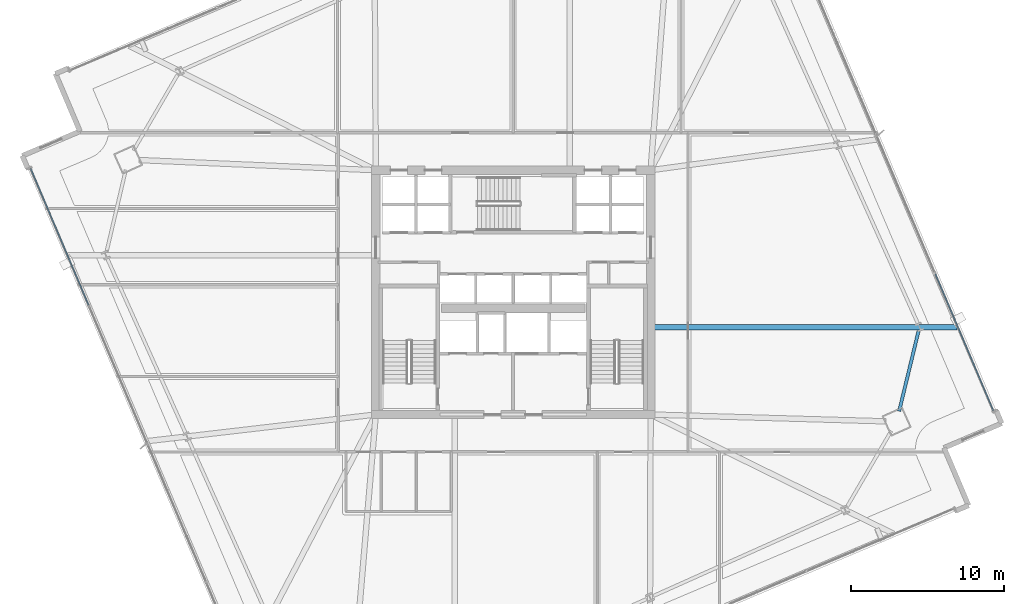
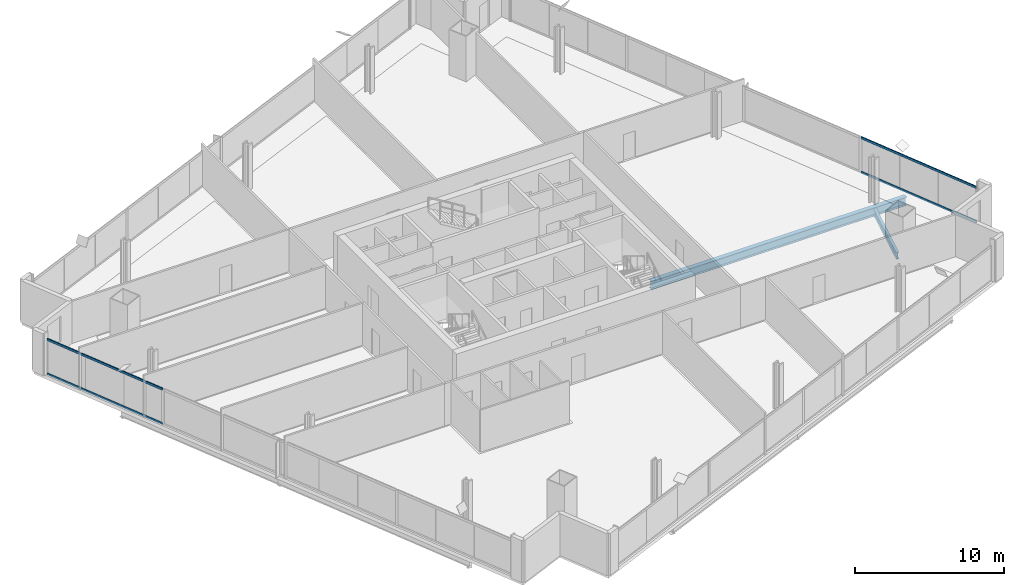
# One storey, part 13 of 34: 4 members, 2 beams, 2 elements without a shape of their own.
"""IFC4 building model written with IfcOpenShell, lengths in metres."""

from ifc_helpers import new_model, si_unit, direction, frame, origin, origin_2d, place, context, subcontext, project, spatial, hollow_rectangle, i_section, extrude, material, material_profile, profile_set, type_object, element, aggregate, save


model = new_model("IFC4")

# Units and contexts
model_context = context("Model", 3, precision=1e-05, world=origin(), true_north=direction((0.0, 1.0)))
body_context = subcontext(model_context, "Body", "Model", "MODEL_VIEW")
ifc_project = project(units=[si_unit("LENGTHUNIT", "METRE"), si_unit("AREAUNIT", "SQUARE_METRE"), si_unit("VOLUMEUNIT", "CUBIC_METRE"), si_unit("PLANEANGLEUNIT", "RADIAN"), si_unit("MASSUNIT", "GRAM", prefix="KILO")], contexts=[model_context])

# Site, building, storey
site_placement = place(None, origin())
site = spatial("IfcSite", under=ifc_project, at=site_placement, CompositionType="ELEMENT")
building_placement = place(site_placement, origin())
building = spatial("IfcBuilding", under=site, at=building_placement, Name="Haldenkirk Collegiate Tower", CompositionType="ELEMENT")
storey_placement = place(building_placement, frame((0.0, 0.0, 105.449951171875)))
storey = spatial("IfcBuildingStorey", under=building, at=storey_placement, Name="L25", CompositionType="ELEMENT", Elevation=105.449951171875)

# Beams
ifc_material_1 = material(Name="Steel ASTM A992 Grade 50", Category="steel")
ifc_material_profile_1 = material_profile(ifc_material_1, i_section(OverallWidth=0.35498046875, OverallDepth=0.696044921875, WebThickness=0.015380859375, FlangeThickness=0.02490234375, at=origin_2d()), Name="W27X146")
ifc_profile_set_1 = profile_set([ifc_material_profile_1], Name="Steel ASTM A992 Grade 50")
beam_type_1 = type_object("IfcBeamType", Name="BM-GIRDER-W27X146", PredefinedType="BEAM", material=ifc_profile_set_1)
beam_1_placement = place(storey_placement, frame((65.07958984375, 23.727294921875, -0.64794921875), z_axis=(-1.0, 0.0, 0.0), x_axis=(0.0, -1.0, 0.0)))
element("IfcBeam", 1, at=beam_1_placement, inside=storey, type_object=beam_type_1, Name="L25 primary floor girder 08", PredefinedType="BEAM", context=body_context, shape_type="SweptSolid", body=[
    extrude(i_section(OverallWidth=0.35498046875, OverallDepth=0.696044921875, WebThickness=0.015380859375, FlangeThickness=0.02490234375, at=origin_2d()), origin(), (0.0, 0.0, 1.0), 19.82470703125),
])
ifc_material_profile_2 = material_profile(ifc_material_1, i_section(OverallWidth=0.2119140625, OverallDepth=0.5439453125, WebThickness=0.01318359375, FlangeThickness=0.021240234375, at=origin_2d()), Name="W21X83")
ifc_profile_set_2 = profile_set([ifc_material_profile_2], Name="Steel ASTM A992 Grade 50")
beam_type_2 = type_object("IfcBeamType", Name="BM-SPANDREL-W21X83", PredefinedType="SPANDREL", material=ifc_profile_set_2)
beam_2_placement = place(storey_placement, frame((61.277587890625, 18.21826171875, -0.572021484375), z_axis=(0.234815122269, 0.972040049768, 0.0), x_axis=(-0.972040049768, 0.234815122269, 0.0)))
element("IfcBeam", 2, at=beam_2_placement, inside=storey, type_object=beam_type_2, Name="L25 perimeter spandrel beam 05", PredefinedType="SPANDREL", context=body_context, shape_type="SweptSolid", body=[
    extrude(i_section(OverallWidth=0.2119140625, OverallDepth=0.5439453125, WebThickness=0.01318359375, FlangeThickness=0.021240234375, at=origin_2d()), origin(), (0.0, 0.0, 1.0), 5.422119140625),
])

# Curtain wall, members
ifc_material_2 = material(Name="Anodised architectural bronze aluminium", Category="aluminium")
curtain_wall_type = type_object("IfcCurtainWallType", Name="CW-SYS1-CONVEX-LOW", PredefinedType="USERDEFINED", material=ifc_material_2)
curtain_wall_1_placement = place(storey_placement, origin())
curtain_wall_1 = element("IfcCurtainWall", 3, at=curtain_wall_1_placement, inside=storey, type_object=curtain_wall_type, Name="L25 Lower tower convex bronze-framed unitised curtain wall", ObjectType="UNITISED CURTAIN WALL", PredefinedType="USERDEFINED")
ifc_material_profile_3 = material_profile(ifc_material_2, hollow_rectangle(XDim=0.080078125, YDim=0.179931640625, WallThickness=0.0048828125, at=origin_2d()), Name="CW-TRN-1A")
ifc_profile_set_3 = profile_set([ifc_material_profile_3], Name="Anodised architectural bronze aluminium")
member_type = type_object("IfcMemberType", Name="CW-TRN-1A", PredefinedType="USERDEFINED", material=ifc_profile_set_3)
member_1_placement = place(storey_placement, frame((63.645751953125, 27.2080078125, 0.0400390625), z_axis=(0.390734134136, -0.920503577625, 0.0), x_axis=(0.920503577625, 0.390734134136, 0.0)))
member_1 = element("IfcMember", 4, at=member_1_placement, type_object=member_type, Name="CW-1A transom 4.1", ObjectType="TRANSOM", PredefinedType="USERDEFINED", context=body_context, shape_type="SweptSolid", body=[
    extrude(hollow_rectangle(XDim=0.080078125, YDim=0.179931640625, WallThickness=0.0048828125, at=origin_2d()), origin(), (0.0, 0.0, 1.0), 9.729736328125),
])
member_2_placement = place(storey_placement, frame((63.645751953125, 27.2080078125, 2.861083984375), z_axis=(0.390734134136, -0.920503577625, 0.0), x_axis=(0.920503577625, 0.390734134136, 0.0)))
member_2 = element("IfcMember", 5, at=member_2_placement, type_object=member_type, Name="CW-1A transom 4.2", ObjectType="TRANSOM", PredefinedType="USERDEFINED", context=body_context, shape_type="SweptSolid", body=[
    extrude(hollow_rectangle(XDim=0.080078125, YDim=0.179931640625, WallThickness=0.0048828125, at=origin_2d()), origin(), (0.0, 0.0, 1.0), 9.729736328125),
])
aggregate(curtain_wall_1, [member_1, member_2])

curtain_wall_2_placement = place(storey_placement, origin())
curtain_wall_2 = element("IfcCurtainWall", 6, at=curtain_wall_2_placement, inside=storey, type_object=curtain_wall_type, Name="L25 Lower tower convex bronze-framed unitised curtain wall", ObjectType="UNITISED CURTAIN WALL", PredefinedType="USERDEFINED")
member_3_placement = place(storey_placement, frame((8.197998046875, 25.16015625, 0.0400390625), z_axis=(-0.390734134136, 0.920503577625, 0.0), x_axis=(-0.920503577625, -0.390734134136, 0.0)))
member_3 = element("IfcMember", 7, at=member_3_placement, type_object=member_type, Name="CW-1A transom 4.1", ObjectType="TRANSOM", PredefinedType="USERDEFINED", context=body_context, shape_type="SweptSolid", body=[
    extrude(hollow_rectangle(XDim=0.080078125, YDim=0.179931640625, WallThickness=0.0048828125, at=origin_2d()), origin(), (0.0, 0.0, 1.0), 9.729736328125),
])
member_4_placement = place(storey_placement, frame((8.197998046875, 25.16015625, 2.861083984375), z_axis=(-0.390734134136, 0.920503577625, 0.0), x_axis=(-0.920503577625, -0.390734134136, 0.0)))
member_4 = element("IfcMember", 8, at=member_4_placement, type_object=member_type, Name="CW-1A transom 4.2", ObjectType="TRANSOM", PredefinedType="USERDEFINED", context=body_context, shape_type="SweptSolid", body=[
    extrude(hollow_rectangle(XDim=0.080078125, YDim=0.179931640625, WallThickness=0.0048828125, at=origin_2d()), origin(), (0.0, 0.0, 1.0), 9.729736328125),
])
aggregate(curtain_wall_2, [member_3, member_4])

save(model, "model.ifc")
